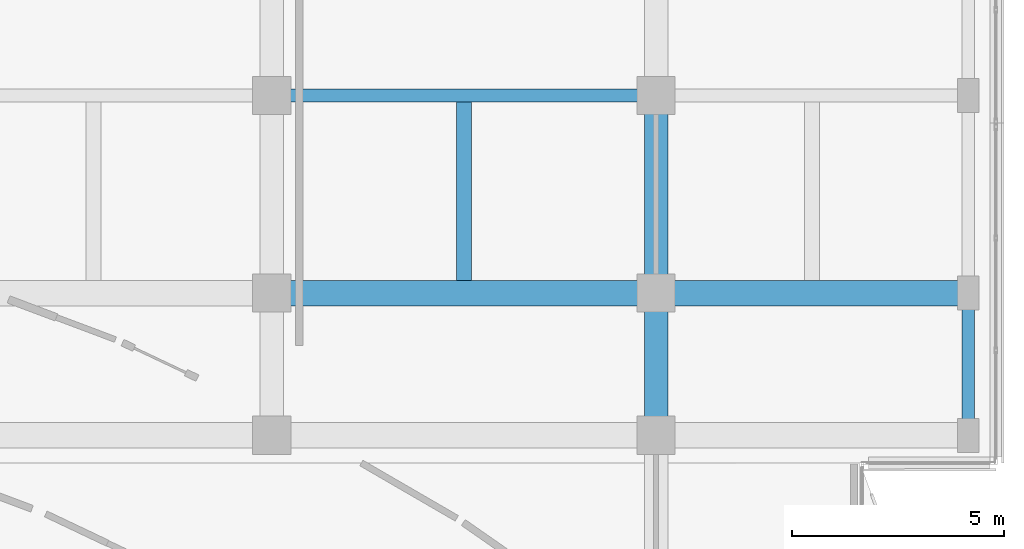
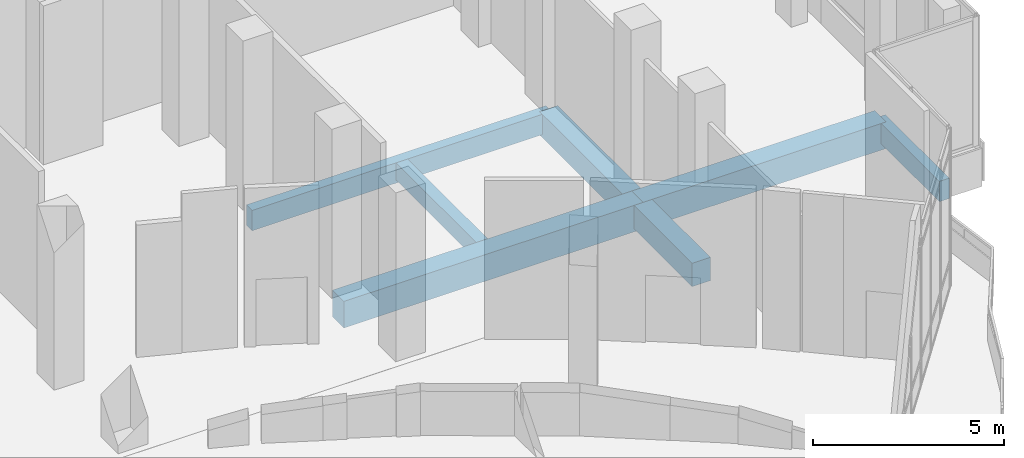
# One storey, part 103 of 158: 7 beams.
"""IFC4 building model written with IfcOpenShell, lengths in metres."""

from ifc_helpers import new_model, si_unit, direction, frame, origin, origin_2d, place, context, subcontext, project, spatial, rectangle, extrude, material, material_profile, profile_set, type_object, element, save


model = new_model("IFC4")

# Units and contexts
model_context = context("Model", 3, precision=1e-05, world=origin(), true_north=direction((0.0, 1.0)))
body_context = subcontext(model_context, "Body", "Model", "MODEL_VIEW")
ifc_project = project(units=[si_unit("LENGTHUNIT", "METRE"), si_unit("AREAUNIT", "SQUARE_METRE"), si_unit("VOLUMEUNIT", "CUBIC_METRE"), si_unit("PLANEANGLEUNIT", "RADIAN"), si_unit("MASSUNIT", "GRAM", prefix="KILO")], contexts=[model_context])

# Site, building, storey
site_placement = place(None, origin())
site = spatial("IfcSite", under=ifc_project, at=site_placement, CompositionType="ELEMENT")
building_placement = place(site_placement, origin())
building = spatial("IfcBuilding", under=site, at=building_placement, Name="Selatvlak General Hospital", CompositionType="ELEMENT")
storey_placement = place(building_placement, origin())
storey = spatial("IfcBuildingStorey", under=building, at=storey_placement, Name="L00", CompositionType="ELEMENT", Elevation=0.0)

# Beams
ifc_material = material(Name="Concrete C40/50", Category="concrete")
ifc_material_profile_1 = material_profile(ifc_material, rectangle(XDim=0.60009765625, YDim=0.85009765625, at=origin_2d()), Name="RC-BM 600x850")
ifc_profile_set_1 = profile_set([ifc_material_profile_1], Name="Concrete C40/50")
beam_type_1 = type_object("IfcBeamType", Name="BM-G01", PredefinedType="BEAM", material=ifc_profile_set_1)
beam_1_placement = place(storey_placement, frame((164.949951171875, 68.0, -0.77490234375), z_axis=(1.0, 0.0, 0.0), x_axis=(0.0, 1.0, 0.0)))
element("IfcBeam", 1, at=beam_1_placement, inside=storey, type_object=beam_type_1, Name="Beam BMR-L00-0024", PredefinedType="BEAM", context=body_context, shape_type="SweptSolid", body=[
    extrude(rectangle(XDim=0.60009765625, YDim=0.85009765625, at=origin_2d()), origin(), (0.0, 0.0, 1.0), 9.050048828125),
])
beam_2_placement = place(storey_placement, frame((174.0, 68.0, -0.77490234375), z_axis=(1.0, 0.0, 0.0), x_axis=(0.0, 1.0, 0.0)))
element("IfcBeam", 2, at=beam_2_placement, inside=storey, type_object=beam_type_1, Name="Beam BMR-L00-0025", PredefinedType="BEAM", context=body_context, shape_type="SweptSolid", body=[
    extrude(rectangle(XDim=0.60009765625, YDim=0.85009765625, at=origin_2d()), origin(), (0.0, 0.0, 1.0), 7.35009765625),
])
ifc_material_profile_2 = material_profile(ifc_material, rectangle(XDim=0.550048828125, YDim=0.75, at=origin_2d()), Name="RC-BM 550x750")
ifc_profile_set_2 = profile_set([ifc_material_profile_2], Name="Concrete C40/50")
beam_type_2 = type_object("IfcBeamType", Name="BM-G02", PredefinedType="BEAM", material=ifc_profile_set_2)
beam_3_placement = place(storey_placement, frame((174.0, 64.64990234375, -0.72509765625), z_axis=(0.0, 1.0, 0.0), x_axis=(-1.0, 0.0, 0.0)))
element("IfcBeam", 3, at=beam_3_placement, inside=storey, type_object=beam_type_2, Name="Beam BMR-L00-0293", PredefinedType="BEAM", context=body_context, shape_type="SweptSolid", body=[
    extrude(rectangle(XDim=0.550048828125, YDim=0.75, at=origin_2d()), origin(), (0.0, 0.0, 1.0), 3.35009765625),
])
beam_4_placement = place(storey_placement, frame((174.0, 68.0, -0.72509765625), z_axis=(0.0, 1.0, 0.0), x_axis=(-1.0, 0.0, 0.0)))
element("IfcBeam", 4, at=beam_4_placement, inside=storey, type_object=beam_type_2, Name="Beam BMR-L00-0294", PredefinedType="BEAM", context=body_context, shape_type="SweptSolid", body=[
    extrude(rectangle(XDim=0.550048828125, YDim=0.75, at=origin_2d()), origin(), (0.0, 0.0, 1.0), 4.64990234375),
])
ifc_material_profile_3 = material_profile(ifc_material, rectangle(XDim=0.35009765625, YDim=0.550048828125, at=origin_2d()), Name="RC-BM 350x550")
ifc_profile_set_3 = profile_set([ifc_material_profile_3], Name="Concrete C40/50")
beam_type_3 = type_object("IfcBeamType", Name="BM-J01", PredefinedType="JOIST", material=ifc_profile_set_3)
beam_5_placement = place(storey_placement, frame((169.47509765625, 68.300048828125, -0.625), z_axis=(0.0, 1.0, 0.0), x_axis=(-1.0, 0.0, 0.0)))
element("IfcBeam", 5, at=beam_5_placement, inside=storey, type_object=beam_type_3, Name="Beam BMR-L00-0312", PredefinedType="JOIST", context=body_context, shape_type="SweptSolid", body=[
    extrude(rectangle(XDim=0.35009765625, YDim=0.550048828125, at=origin_2d()), origin(), (0.0, 0.0, 1.0), 4.199951171875),
])
ifc_material_profile_4 = material_profile(ifc_material, rectangle(XDim=0.300048828125, YDim=0.64990234375, at=origin_2d()), Name="RC-SP 300x650")
ifc_profile_set_4 = profile_set([ifc_material_profile_4], Name="Concrete C40/50")
beam_type_4 = type_object("IfcBeamType", Name="BM-SP1", PredefinedType="SPANDREL", material=ifc_profile_set_4)
beam_6_placement = place(storey_placement, frame((164.949951171875, 72.64990234375, -0.675048828125), z_axis=(1.0, 0.0, 0.0), x_axis=(0.0, 1.0, 0.0)))
element("IfcBeam", 6, at=beam_6_placement, inside=storey, type_object=beam_type_4, Name="Beam BMR-L00-0032", PredefinedType="SPANDREL", context=body_context, shape_type="SweptSolid", body=[
    extrude(rectangle(XDim=0.300048828125, YDim=0.64990234375, at=origin_2d()), origin(), (0.0, 0.0, 1.0), 9.050048828125),
])
beam_7_placement = place(storey_placement, frame((181.35009765625, 64.64990234375, -0.675048828125), z_axis=(0.0, 1.0, 0.0), x_axis=(-1.0, 0.0, 0.0)))
element("IfcBeam", 7, at=beam_7_placement, inside=storey, type_object=beam_type_4, Name="Beam BMR-L00-0302", PredefinedType="SPANDREL", context=body_context, shape_type="SweptSolid", body=[
    extrude(rectangle(XDim=0.300048828125, YDim=0.64990234375, at=origin_2d()), origin(), (0.0, 0.0, 1.0), 3.35009765625),
])

save(model, "model.ifc")
